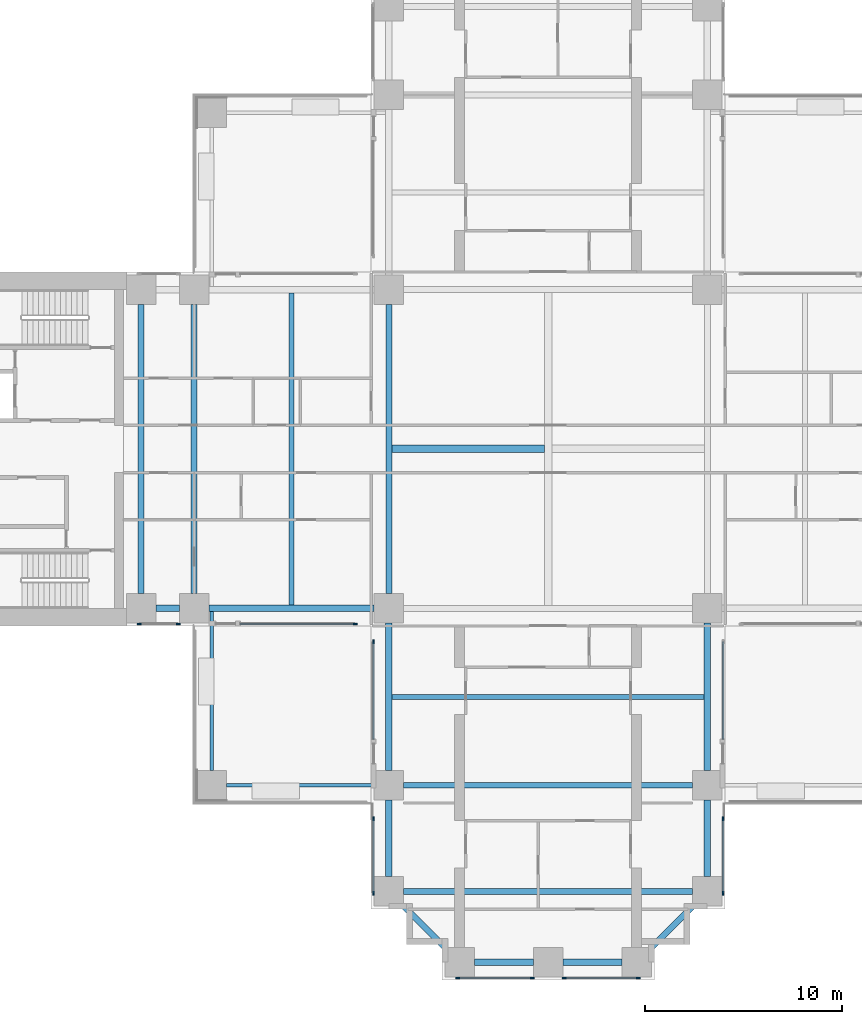
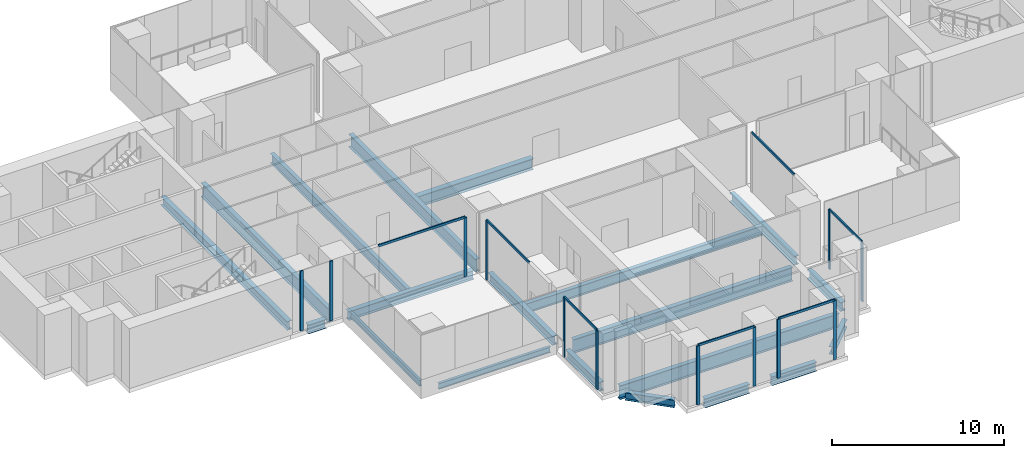
# One storey, part 2 of 15: 20 beams, 19 members, 8 elements without a shape of their own.
"""IFC4 building model written with IfcOpenShell, lengths in metres."""

import ifcopenshell
import ifcopenshell.guid

model = None  # the IFC model being written
_history = None  # IfcOwnerHistory: only IFC2X3 demands one
_inside = {}  # id of a spatial element -> (the spatial element, [elements in it])
_under = {}  # id of a project, library or spatial element -> (it, [spatial elements below it])
_declared = {}  # id of a project -> (the project, [libraries it declares])
_typed = {}  # id of a type object -> (the type object, [elements of that type])
_made_of = {}  # id of a material, layer set ... -> (it, [elements and type objects made of it])


def new_model(schema):
    """Start an empty IFC model of exactly this schema.

    Asked for "IFC4X3", IfcOpenShell would pick the latest addendum, in which some entities
    have other attributes; the version numbers below select the first issue.
    IFC2X3 requires an IfcOwnerHistory on every rooted entity: one is made here for all.
    """
    global model, _history
    if schema == "IFC4X3":
        model = ifcopenshell.file(schema_version=(4, 3, 0, 0))
    else:
        model = ifcopenshell.file(schema=schema)
    _inside.clear()
    _under.clear()
    _declared.clear()
    _typed.clear()
    _made_of.clear()
    _history = None
    if model.schema == "IFC2X3":
        org = make("IfcOrganization", Name="unknown")
        user = make(
            "IfcPersonAndOrganization",
            ThePerson=make("IfcPerson", FamilyName="unknown"),
            TheOrganization=org,
        )
        app = make(
            "IfcApplication",
            ApplicationDeveloper=org,
            Version="unknown",
            ApplicationFullName="unknown",
            ApplicationIdentifier="unknown",
        )
        _history = make(
            "IfcOwnerHistory",
            OwningUser=user,
            OwningApplication=app,
            ChangeAction="ADDED",
            CreationDate=0,
        )
    return model


def make(cls, **values):
    """One entity of the class cls with the attributes given. An attribute that is None is left unset."""
    return model.create_entity(
        cls, **{name: value for name, value in values.items() if value is not None}
    )


def rooted(cls, **values):
    """An entity with a GlobalId (a new one), such as an element, a storey or a relation."""
    return make(cls, GlobalId=ifcopenshell.guid.new(), OwnerHistory=_history, **values)


def si_unit(unit_type, name, prefix=None):
    """IfcSIUnit, for example si_unit("LENGTHUNIT", "METRE", prefix="MILLI")."""
    return make("IfcSIUnit", UnitType=unit_type, Prefix=prefix, Name=name)


def assignment(units):
    """IfcUnitAssignment: the units of a project."""
    return None if units is None else make("IfcUnitAssignment", Units=units)


def point(xyz):
    """IfcCartesianPoint."""
    return None if xyz is None else make("IfcCartesianPoint", Coordinates=xyz)


def direction(xyz):
    """IfcDirection."""
    return None if xyz is None else make("IfcDirection", DirectionRatios=xyz)


def frame(location, z_axis=None, x_axis=None):
    """IfcAxis2Placement3D, a coordinate frame: its origin and axes. An axis left out is left unset."""
    return make(
        "IfcAxis2Placement3D",
        Location=point(location),
        Axis=direction(z_axis),
        RefDirection=direction(x_axis),
    )


def frame_2d(location, x_axis=None):
    """IfcAxis2Placement2D, a coordinate frame in the plane: its origin and x axis."""
    return make(
        "IfcAxis2Placement2D", Location=point(location), RefDirection=direction(x_axis)
    )


def origin():
    """The frame at (0, 0, 0) with its axes left unset."""
    return frame((0.0, 0.0, 0.0))


def origin_2d():
    """The frame at (0, 0) in the plane with its x axis left unset."""
    return frame_2d((0.0, 0.0))


def place(relative_to, where):
    """IfcLocalPlacement: puts the frame where relative to a parent placement (None: the world)."""
    return make(
        "IfcLocalPlacement", PlacementRelTo=relative_to, RelativePlacement=where
    )


def context(
    kind, dimensions, precision=None, world=None, true_north=None, identifier=None
):
    """IfcGeometricRepresentationContext, for example the 3D "Model" context."""
    return make(
        "IfcGeometricRepresentationContext",
        ContextIdentifier=identifier,
        ContextType=kind,
        CoordinateSpaceDimension=dimensions,
        Precision=precision,
        WorldCoordinateSystem=world,
        TrueNorth=true_north,
    )


def subcontext(parent, identifier, kind, view, scale=None):
    """IfcGeometricRepresentationSubContext, for example "Body" below "Model"."""
    return make(
        "IfcGeometricRepresentationSubContext",
        ContextIdentifier=identifier,
        ContextType=kind,
        ParentContext=parent,
        TargetScale=scale,
        TargetView=view,
    )


def project(units=None, contexts=None):
    """IfcProject with its units and contexts."""
    return rooted(
        "IfcProject",
        Name="project",
        RepresentationContexts=contexts,
        UnitsInContext=assignment(units),
    )


def spatial(cls, under=None, at=None, **own):
    """A site, building, storey or space (cls), placed at a placement, below another one or the project."""
    s = rooted(cls, ObjectPlacement=at, **own)
    if under is not None:
        _under.setdefault(under.id(), (under, []))[1].append(s)
    return s


def profile(cls, at=None, kind="AREA", **sizes):
    """A parametric profile (cls). Its sizes go by their IFC names, for example OverallWidth=200.0."""
    return make(cls, ProfileType=kind, Position=at, **sizes)


def rectangle(**sizes):
    """IfcRectangleProfileDef."""
    return profile("IfcRectangleProfileDef", **sizes)


def i_section(**sizes):
    """IfcIShapeProfileDef."""
    return profile("IfcIShapeProfileDef", **sizes)


def extrude(swept, where, along, depth):
    """IfcExtrudedAreaSolid: the profile swept, set in the frame where, extruded along a direction by depth."""
    return make(
        "IfcExtrudedAreaSolid",
        SweptArea=swept,
        Position=where,
        ExtrudedDirection=direction(along),
        Depth=depth,
    )


def shape(context_of_items, identifier, shape_type, items):
    """IfcShapeRepresentation: the items that make up one representation, for example the "Body"."""
    return make(
        "IfcShapeRepresentation",
        ContextOfItems=context_of_items,
        RepresentationIdentifier=identifier,
        RepresentationType=shape_type,
        Items=items,
    )


def material(Name=None, Category=None):
    """IfcMaterial."""
    return make("IfcMaterial", Name=Name, Category=Category)


def material_profile(
    of_material, cross_section, Name=None, Category=None, Priority=None
):
    """IfcMaterialProfile: a cross section and its material."""
    return make(
        "IfcMaterialProfile",
        Name=Name,
        Material=of_material,
        Profile=cross_section,
        Priority=Priority,
        Category=Category,
    )


def profile_set(profiles, Name=None, composite=None):
    """IfcMaterialProfileSet."""
    return make(
        "IfcMaterialProfileSet",
        Name=Name,
        MaterialProfiles=profiles,
        CompositeProfile=composite,
    )


def made_of(thing, what):
    """Note that an element or type object is made of a material, layer set ...; save() writes the relation."""
    if what is not None:
        _made_of.setdefault(what.id(), (what, []))[1].append(thing)
    return thing


def type_object(cls, material=None, **own):
    """A type object (cls), such as IfcWallType, which elements share."""
    return made_of(rooted(cls, **own), material)


def element(
    cls,
    number,
    at=None,
    inside=None,
    cuts=None,
    type_object=None,
    material=None,
    context=None,
    identifier="Body",
    shape_type=None,
    held_by="IfcProductDefinitionShape",
    body=None,
    shapes=None,
    **own,
):
    """One element of the class cls, such as IfcWall. Its Tag is "e" and its number.

    at: its placement. inside: the storey or other place that contains it. cuts: it is an
    opening in that element (IfcRelVoidsElement). A single representation is given by context,
    identifier, shape_type and body (its items); several are given by shapes. held_by: the class
    of the entity that holds the representations. save() writes the other relations.
    """
    e = rooted(cls, Tag="e%d" % number, ObjectPlacement=at, **own)
    if body is not None:
        shapes = [shape(context, identifier, shape_type, body)]
    if shapes is not None:
        e.Representation = make(held_by, Representations=shapes)
    if inside is not None:
        _inside.setdefault(inside.id(), (inside, []))[1].append(e)
    if cuts is not None:
        rooted(
            "IfcRelVoidsElement", RelatingBuildingElement=cuts, RelatedOpeningElement=e
        )
    if type_object is not None:
        _typed.setdefault(type_object.id(), (type_object, []))[1].append(e)
    return made_of(e, material)


def aggregate(whole, parts):
    """IfcRelAggregates: a whole, such as a stair, and the parts it consists of."""
    return rooted("IfcRelAggregates", RelatingObject=whole, RelatedObjects=parts)


def save(model, path):
    """Write the relations noted so far, then the file.

    IfcRelAggregates (storeys below a building ...), IfcRelContainedInSpatialStructure (elements
    in a storey), IfcRelDefinesByType, IfcRelAssociatesMaterial and IfcRelDeclares: one each for
    every whole, place, type object, material and project.
    """
    for whole, parts in _under.values():
        aggregate(whole, parts)
    for where, things in _inside.values():
        rooted(
            "IfcRelContainedInSpatialStructure",
            RelatedElements=things,
            RelatingStructure=where,
        )
    for kind, things in _typed.values():
        rooted("IfcRelDefinesByType", RelatedObjects=things, RelatingType=kind)
    for what, things in _made_of.values():
        rooted("IfcRelAssociatesMaterial", RelatedObjects=things, RelatingMaterial=what)
    for by, libraries in _declared.values():
        rooted("IfcRelDeclares", RelatingContext=by, RelatedDefinitions=libraries)
    model.write(path)


model = new_model("IFC4")

# Units and contexts
model_context = context("Model", 3, precision=1e-05, world=origin(), true_north=direction((0.0, 1.0)))
body_context = subcontext(model_context, "Body", "Model", "MODEL_VIEW")
ifc_project = project(units=[si_unit("LENGTHUNIT", "METRE"), si_unit("AREAUNIT", "SQUARE_METRE"), si_unit("VOLUMEUNIT", "CUBIC_METRE"), si_unit("PLANEANGLEUNIT", "RADIAN"), si_unit("MASSUNIT", "GRAM", prefix="KILO")], contexts=[model_context])

# Site, building, storey
site_placement = place(None, origin())
site = spatial("IfcSite", under=ifc_project, at=site_placement, CompositionType="ELEMENT")
building_placement = place(site_placement, origin())
building = spatial("IfcBuilding", under=site, at=building_placement, Name="Perihelion Cross Residences", CompositionType="ELEMENT")
storey_placement = place(building_placement, frame((0.0, 0.0, 32.0)))
storey = spatial("IfcBuildingStorey", under=building, at=storey_placement, Name="L04", CompositionType="ELEMENT", Elevation=32.0)

# Curtain wall, members
ifc_material_1 = material(Name="Bronze anodised aluminium, tinted glazing", Category="aluminium")
curtain_wall_type = type_object("IfcCurtainWallType", Name="CW2", PredefinedType="NOTDEFINED", material=ifc_material_1)
curtain_wall_1_placement = place(storey_placement, origin())
curtain_wall_1 = element("IfcCurtainWall", 1, at=curtain_wall_1_placement, inside=storey, type_object=curtain_wall_type, Name="Curtain wall CW2 L04 west side south bay 1", PredefinedType="NOTDEFINED")
ifc_material_2 = material(Name="Bronze anodised aluminium", Category="aluminium")
ifc_material_profile_1 = material_profile(ifc_material_2, rectangle(XDim=0.080078125, YDim=0.199951171875, at=origin_2d()), Name="CW2 mullion")
ifc_profile_set_1 = profile_set([ifc_material_profile_1], Name="Bronze anodised aluminium")
member_type_1 = type_object("IfcMemberType", Name="CW2 mullion", PredefinedType="MULLION", material=ifc_profile_set_1)
member_1_placement = place(storey_placement, frame((-20.7900390625, -8.889892578125, 0.0), z_axis=(0.0, 0.0, 1.0), x_axis=(0.0, 1.0, 0.0)))
member_1 = element("IfcMember", 2, at=member_1_placement, type_object=member_type_1, Name="CW2 mullion 1", PredefinedType="MULLION", context=body_context, shape_type="SweptSolid", body=[
    extrude(rectangle(XDim=0.080078125, YDim=0.199951171875, at=origin_2d()), origin(), (0.0, 0.0, 1.0), 4.25),
])
member_2_placement = place(storey_placement, frame((-18.81005859375, -8.889892578125, 0.0), z_axis=(0.0, 0.0, 1.0), x_axis=(0.0, 1.0, 0.0)))
member_2 = element("IfcMember", 3, at=member_2_placement, type_object=member_type_1, Name="CW2 mullion 2", PredefinedType="MULLION", context=body_context, shape_type="SweptSolid", body=[
    extrude(rectangle(XDim=0.080078125, YDim=0.199951171875, at=origin_2d()), origin(), (0.0, 0.0, 1.0), 4.25),
])
aggregate(curtain_wall_1, [member_1, member_2])

# Curtain wall, member
curtain_wall_2_placement = place(storey_placement, origin())
curtain_wall_2 = element("IfcCurtainWall", 4, at=curtain_wall_2_placement, inside=storey, type_object=curtain_wall_type, Name="Curtain wall CW2 L04 west side south bay 2", PredefinedType="NOTDEFINED")
member_3_placement = place(storey_placement, frame((-9.81005859375, -8.889892578125, 0.0), z_axis=(0.0, 0.0, 1.0), x_axis=(0.0, 1.0, 0.0)))
member_3 = element("IfcMember", 5, at=member_3_placement, type_object=member_type_1, Name="CW2 mullion 2", PredefinedType="MULLION", context=body_context, shape_type="SweptSolid", body=[
    extrude(rectangle(XDim=0.080078125, YDim=0.199951171875, at=origin_2d()), origin(), (0.0, 0.0, 1.0), 4.169921875),
])

curtain_wall_3_placement = place(storey_placement, origin())
curtain_wall_3 = element("IfcCurtainWall", 6, at=curtain_wall_3_placement, inside=storey, type_object=curtain_wall_type, Name="Curtain wall CW2 L04 south side west bay 1", PredefinedType="NOTDEFINED")
member_4_placement = place(storey_placement, frame((-8.889892578125, -9.81005859375, 0.0), z_axis=(0.0, 0.0, 1.0), x_axis=(1.0, 0.0, 0.0)))
member_4 = element("IfcMember", 7, at=member_4_placement, type_object=member_type_1, Name="CW2 mullion 1", PredefinedType="MULLION", context=body_context, shape_type="SweptSolid", body=[
    extrude(rectangle(XDim=0.080078125, YDim=0.199951171875, at=origin_2d()), origin(), (0.0, 0.0, 1.0), 4.169921875),
])

# Curtain wall, members
curtain_wall_4_placement = place(storey_placement, origin())
curtain_wall_4 = element("IfcCurtainWall", 8, at=curtain_wall_4_placement, inside=storey, type_object=curtain_wall_type, Name="Curtain wall CW2 L04 south side west bay 2", PredefinedType="NOTDEFINED")
member_5_placement = place(storey_placement, frame((-8.889892578125, -18.81005859375, 0.0), z_axis=(0.0, 0.0, 1.0), x_axis=(1.0, 0.0, 0.0)))
member_5 = element("IfcMember", 9, at=member_5_placement, type_object=member_type_1, Name="CW2 mullion 1", PredefinedType="MULLION", context=body_context, shape_type="SweptSolid", body=[
    extrude(rectangle(XDim=0.080078125, YDim=0.199951171875, at=origin_2d()), origin(), (0.0, 0.0, 1.0), 4.169921875),
])
member_6_placement = place(storey_placement, frame((-8.889892578125, -22.590087890625, 0.0), z_axis=(0.0, 0.0, 1.0), x_axis=(1.0, 0.0, 0.0)))
member_6 = element("IfcMember", 10, at=member_6_placement, type_object=member_type_1, Name="CW2 mullion 2", PredefinedType="MULLION", context=body_context, shape_type="SweptSolid", body=[
    extrude(rectangle(XDim=0.080078125, YDim=0.199951171875, at=origin_2d()), origin(), (0.0, 0.0, 1.0), 4.169921875),
])

curtain_wall_5_placement = place(storey_placement, origin())
curtain_wall_5 = element("IfcCurtainWall", 11, at=curtain_wall_5_placement, inside=storey, type_object=curtain_wall_type, Name="Curtain wall CW2 L04 south tip south bay 1", PredefinedType="NOTDEFINED")
member_7_placement = place(storey_placement, frame((-4.590087890625, -26.889892578125, 0.0), z_axis=(0.0, 0.0, 1.0), x_axis=(0.0, 1.0, 0.0)))
member_7 = element("IfcMember", 12, at=member_7_placement, type_object=member_type_1, Name="CW2 mullion 1", PredefinedType="MULLION", context=body_context, shape_type="SweptSolid", body=[
    extrude(rectangle(XDim=0.080078125, YDim=0.199951171875, at=origin_2d()), origin(), (0.0, 0.0, 1.0), 4.169921875),
])
member_8_placement = place(storey_placement, frame((-0.81005859375, -26.889892578125, 0.0), z_axis=(0.0, 0.0, 1.0), x_axis=(0.0, 1.0, 0.0)))
member_8 = element("IfcMember", 13, at=member_8_placement, type_object=member_type_1, Name="CW2 mullion 2", PredefinedType="MULLION", context=body_context, shape_type="SweptSolid", body=[
    extrude(rectangle(XDim=0.080078125, YDim=0.199951171875, at=origin_2d()), origin(), (0.0, 0.0, 1.0), 4.169921875),
])

curtain_wall_6_placement = place(storey_placement, origin())
curtain_wall_6 = element("IfcCurtainWall", 14, at=curtain_wall_6_placement, inside=storey, type_object=curtain_wall_type, Name="Curtain wall CW2 L04 south tip south bay 2", PredefinedType="NOTDEFINED")
member_9_placement = place(storey_placement, frame((0.81005859375, -26.889892578125, 0.0), z_axis=(0.0, 0.0, 1.0), x_axis=(0.0, 1.0, 0.0)))
member_9 = element("IfcMember", 15, at=member_9_placement, type_object=member_type_1, Name="CW2 mullion 1", PredefinedType="MULLION", context=body_context, shape_type="SweptSolid", body=[
    extrude(rectangle(XDim=0.080078125, YDim=0.199951171875, at=origin_2d()), origin(), (0.0, 0.0, 1.0), 4.169921875),
])
member_10_placement = place(storey_placement, frame((4.590087890625, -26.889892578125, 0.0), z_axis=(0.0, 0.0, 1.0), x_axis=(0.0, 1.0, 0.0)))
member_10 = element("IfcMember", 16, at=member_10_placement, type_object=member_type_1, Name="CW2 mullion 2", PredefinedType="MULLION", context=body_context, shape_type="SweptSolid", body=[
    extrude(rectangle(XDim=0.080078125, YDim=0.199951171875, at=origin_2d()), origin(), (0.0, 0.0, 1.0), 4.169921875),
])

curtain_wall_7_placement = place(storey_placement, origin())
curtain_wall_7 = element("IfcCurtainWall", 17, at=curtain_wall_7_placement, inside=storey, type_object=curtain_wall_type, Name="Curtain wall CW2 L04 south side east bay 1", PredefinedType="NOTDEFINED")
member_11_placement = place(storey_placement, frame((8.889892578125, -22.590087890625, 0.0), z_axis=(0.0, 0.0, 1.0), x_axis=(-1.0, 0.0, 0.0)))
member_11 = element("IfcMember", 18, at=member_11_placement, type_object=member_type_1, Name="CW2 mullion 1", PredefinedType="MULLION", context=body_context, shape_type="SweptSolid", body=[
    extrude(rectangle(XDim=0.080078125, YDim=0.199951171875, at=origin_2d()), origin(), (0.0, 0.0, 1.0), 4.169921875),
])
member_12_placement = place(storey_placement, frame((8.889892578125, -18.81005859375, 0.0), z_axis=(0.0, 0.0, 1.0), x_axis=(-1.0, 0.0, 0.0)))
member_12 = element("IfcMember", 19, at=member_12_placement, type_object=member_type_1, Name="CW2 mullion 2", PredefinedType="MULLION", context=body_context, shape_type="SweptSolid", body=[
    extrude(rectangle(XDim=0.080078125, YDim=0.199951171875, at=origin_2d()), origin(), (0.0, 0.0, 1.0), 4.169921875),
])

# Member
ifc_material_3 = material(Name="Bronze anodised aluminium", Category="aluminium")
ifc_material_profile_2 = material_profile(ifc_material_3, rectangle(XDim=0.080078125, YDim=0.159912109375, at=origin_2d()), Name="CW2 transom")
ifc_profile_set_2 = profile_set([ifc_material_profile_2], Name="Bronze anodised aluminium")
member_type_2 = type_object("IfcMemberType", Name="CW2 transom", PredefinedType="USERDEFINED", material=ifc_profile_set_2)
member_13_placement = place(storey_placement, frame((-15.64990234375, -8.889892578125, 4.2099609375), z_axis=(1.0, 0.0, 0.0), x_axis=(0.0, 1.0, 0.0)))
member_13 = element("IfcMember", 20, at=member_13_placement, type_object=member_type_2, Name="CW2 head transom", ObjectType="TRANSOM", PredefinedType="USERDEFINED", context=body_context, shape_type="SweptSolid", body=[
    extrude(rectangle(XDim=0.080078125, YDim=0.159912109375, at=origin_2d()), origin(), (0.0, 0.0, 1.0), 5.83984375),
])

aggregate(curtain_wall_2, [member_3, member_13])

member_14_placement = place(storey_placement, frame((-8.889892578125, -9.81005859375, 4.2099609375), z_axis=(0.0, -1.0, 0.0), x_axis=(1.0, 0.0, 0.0)))
member_14 = element("IfcMember", 21, at=member_14_placement, type_object=member_type_2, Name="CW2 head transom", ObjectType="TRANSOM", PredefinedType="USERDEFINED", context=body_context, shape_type="SweptSolid", body=[
    extrude(rectangle(XDim=0.080078125, YDim=0.159912109375, at=origin_2d()), origin(), (0.0, 0.0, 1.0), 4.93994140625),
])

aggregate(curtain_wall_3, [member_4, member_14])

member_15_placement = place(storey_placement, frame((-8.889892578125, -18.81005859375, 4.2099609375), z_axis=(0.0, -1.0, 0.0), x_axis=(1.0, 0.0, 0.0)))
member_15 = element("IfcMember", 22, at=member_15_placement, type_object=member_type_2, Name="CW2 head transom", ObjectType="TRANSOM", PredefinedType="USERDEFINED", context=body_context, shape_type="SweptSolid", body=[
    extrude(rectangle(XDim=0.080078125, YDim=0.159912109375, at=origin_2d()), origin(), (0.0, 0.0, 1.0), 3.780029296875),
])

aggregate(curtain_wall_4, [member_5, member_6, member_15])

member_16_placement = place(storey_placement, frame((-4.590087890625, -26.889892578125, 4.2099609375), z_axis=(1.0, 0.0, 0.0), x_axis=(0.0, 1.0, 0.0)))
member_16 = element("IfcMember", 23, at=member_16_placement, type_object=member_type_2, Name="CW2 head transom", ObjectType="TRANSOM", PredefinedType="USERDEFINED", context=body_context, shape_type="SweptSolid", body=[
    extrude(rectangle(XDim=0.080078125, YDim=0.159912109375, at=origin_2d()), origin(), (0.0, 0.0, 1.0), 3.780029296875),
])

aggregate(curtain_wall_5, [member_7, member_8, member_16])

member_17_placement = place(storey_placement, frame((0.81005859375, -26.889892578125, 4.2099609375), z_axis=(1.0, 0.0, 0.0), x_axis=(0.0, 1.0, 0.0)))
member_17 = element("IfcMember", 24, at=member_17_placement, type_object=member_type_2, Name="CW2 head transom", ObjectType="TRANSOM", PredefinedType="USERDEFINED", context=body_context, shape_type="SweptSolid", body=[
    extrude(rectangle(XDim=0.080078125, YDim=0.159912109375, at=origin_2d()), origin(), (0.0, 0.0, 1.0), 3.780029296875),
])

aggregate(curtain_wall_6, [member_9, member_10, member_17])

member_18_placement = place(storey_placement, frame((8.889892578125, -22.590087890625, 4.2099609375), z_axis=(0.0, 1.0, 0.0), x_axis=(-1.0, 0.0, 0.0)))
member_18 = element("IfcMember", 25, at=member_18_placement, type_object=member_type_2, Name="CW2 head transom", ObjectType="TRANSOM", PredefinedType="USERDEFINED", context=body_context, shape_type="SweptSolid", body=[
    extrude(rectangle(XDim=0.080078125, YDim=0.159912109375, at=origin_2d()), origin(), (0.0, 0.0, 1.0), 3.780029296875),
])

aggregate(curtain_wall_7, [member_11, member_12, member_18])

# Curtain wall, member
curtain_wall_8_placement = place(storey_placement, origin())
curtain_wall_8 = element("IfcCurtainWall", 26, at=curtain_wall_8_placement, inside=storey, type_object=curtain_wall_type, Name="Curtain wall CW2 L04 south side east bay 2", PredefinedType="NOTDEFINED")
member_19_placement = place(storey_placement, frame((8.889892578125, -14.75, 4.2099609375), z_axis=(0.0, 1.0, 0.0), x_axis=(-1.0, 0.0, 0.0)))
member_19 = element("IfcMember", 27, at=member_19_placement, type_object=member_type_2, Name="CW2 head transom", ObjectType="TRANSOM", PredefinedType="USERDEFINED", context=body_context, shape_type="SweptSolid", body=[
    extrude(rectangle(XDim=0.080078125, YDim=0.159912109375, at=origin_2d()), origin(), (0.0, 0.0, 1.0), 4.93994140625),
])
aggregate(curtain_wall_8, [member_19])

# Beams
ifc_material_4 = material(Name="Steel S355", Category="steel")
ifc_material_profile_3 = material_profile(ifc_material_4, i_section(OverallWidth=0.177978515625, OverallDepth=0.406005859375, WebThickness=0.0078125, FlangeThickness=0.0126953125, at=origin_2d()), Name="W410x60")
ifc_profile_set_3 = profile_set([ifc_material_profile_3], Name="Steel S355")
beam_type_1 = type_object("IfcBeamType", Name="Core edge beam W410x60", PredefinedType="BEAM", material=ifc_profile_set_3)
beam_1_placement = place(storey_placement, frame((-17.10009765625, -8.264892578125, -0.5029296875), z_axis=(0.0, -1.0, 0.0), x_axis=(1.0, 0.0, 0.0)))
element("IfcBeam", 28, at=beam_1_placement, inside=storey, type_object=beam_type_1, Name="Core edge beam TB2 L04 corner no. 1", PredefinedType="BEAM", context=body_context, shape_type="SweptSolid", body=[
    extrude(i_section(OverallWidth=0.177978515625, OverallDepth=0.406005859375, WebThickness=0.0078125, FlangeThickness=0.0126953125, at=origin_2d()), origin(), (0.0, 0.0, 1.0), 8.085205078125),
])
beam_2_placement = place(storey_placement, frame((-8.85009765625, -17.10009765625, -0.5029296875), z_axis=(-1.0, 0.0, 0.0), x_axis=(0.0, -1.0, 0.0)))
element("IfcBeam", 29, at=beam_2_placement, inside=storey, type_object=beam_type_1, Name="Core edge beam TB2 L04 corner no. 2", PredefinedType="BEAM", context=body_context, shape_type="SweptSolid", body=[
    extrude(i_section(OverallWidth=0.177978515625, OverallDepth=0.406005859375, WebThickness=0.0078125, FlangeThickness=0.0126953125, at=origin_2d()), origin(), (0.0, 0.0, 1.0), 7.5),
])
ifc_material_5 = material(Name="Steel S355", Category="steel")
ifc_material_profile_4 = material_profile(ifc_material_5, i_section(OverallWidth=0.324951171875, OverallDepth=0.616943359375, WebThickness=0.013916015625, FlangeThickness=0.021484375, at=origin_2d()), Name="W610x174")
ifc_profile_set_4 = profile_set([ifc_material_profile_4], Name="Steel S355")
beam_type_2 = type_object("IfcBeamType", Name="Core edge beam W610x174", PredefinedType="BEAM", material=ifc_profile_set_4)
beam_3_placement = place(storey_placement, frame((-20.699951171875, -7.35009765625, -0.6083984375), z_axis=(0.0, 1.0, 0.0), x_axis=(-1.0, 0.0, 0.0)))
element("IfcBeam", 30, at=beam_3_placement, inside=storey, type_object=beam_type_2, Name="Core edge beam TB1 L04 no. 1", PredefinedType="BEAM", context=body_context, shape_type="SweptSolid", body=[
    extrude(i_section(OverallWidth=0.324951171875, OverallDepth=0.616943359375, WebThickness=0.013916015625, FlangeThickness=0.021484375, at=origin_2d()), origin(), (0.0, 0.0, 1.0), 14.7001953125),
])
ifc_material_6 = material(Name="Steel S355", Category="steel")
ifc_material_profile_5 = material_profile(ifc_material_6, i_section(OverallWidth=0.330078125, OverallDepth=0.635009765625, WebThickness=0.017822265625, FlangeThickness=0.031005859375, at=origin_2d()), Name="W610x241")
ifc_profile_set_5 = profile_set([ifc_material_profile_5], Name="Steel S355")
beam_type_3 = type_object("IfcBeamType", Name="Edge beam W610x241", PredefinedType="SPANDREL", material=ifc_profile_set_5)
beam_4_placement = place(storey_placement, frame((-19.949951171875, -8.10009765625, -0.617431640625), z_axis=(1.0, 0.0, 0.0), x_axis=(0.0, 1.0, 0.0)))
element("IfcBeam", 31, at=beam_4_placement, inside=storey, type_object=beam_type_3, Name="Edge beam SB1 L04 no. 3", PredefinedType="SPANDREL", context=body_context, shape_type="SweptSolid", body=[
    extrude(i_section(OverallWidth=0.330078125, OverallDepth=0.635009765625, WebThickness=0.017822265625, FlangeThickness=0.031005859375, at=origin_2d()), origin(), (0.0, 0.0, 1.0), 1.199951171875),
])
beam_5_placement = place(storey_placement, frame((-17.25, -8.10009765625, -0.617431640625), z_axis=(1.0, 0.0, 0.0), x_axis=(0.0, 1.0, 0.0)))
element("IfcBeam", 32, at=beam_5_placement, inside=storey, type_object=beam_type_3, Name="Edge beam SB1 L04 no. 1", PredefinedType="SPANDREL", context=body_context, shape_type="SweptSolid", body=[
    extrude(i_section(OverallWidth=0.330078125, OverallDepth=0.635009765625, WebThickness=0.017822265625, FlangeThickness=0.031005859375, at=origin_2d()), origin(), (0.0, 0.0, 1.0), 8.39990234375),
])
beam_6_placement = place(storey_placement, frame((-8.10009765625, -8.85009765625, -0.617431640625), z_axis=(0.0, -1.0, 0.0), x_axis=(1.0, 0.0, 0.0)))
element("IfcBeam", 33, at=beam_6_placement, inside=storey, type_object=beam_type_3, Name="Edge beam SB1 L04 no. 6", PredefinedType="SPANDREL", context=body_context, shape_type="SweptSolid", body=[
    extrude(i_section(OverallWidth=0.330078125, OverallDepth=0.635009765625, WebThickness=0.017822265625, FlangeThickness=0.031005859375, at=origin_2d()), origin(), (0.0, 0.0, 1.0), 7.5),
])
beam_7_placement = place(storey_placement, frame((-8.10009765625, -17.85009765625, -0.617431640625), z_axis=(0.0, -1.0, 0.0), x_axis=(1.0, 0.0, 0.0)))
element("IfcBeam", 34, at=beam_7_placement, inside=storey, type_object=beam_type_3, Name="Edge beam SB1 L04 no. 5", PredefinedType="SPANDREL", context=body_context, shape_type="SweptSolid", body=[
    extrude(i_section(OverallWidth=0.330078125, OverallDepth=0.635009765625, WebThickness=0.017822265625, FlangeThickness=0.031005859375, at=origin_2d()), origin(), (0.0, 0.0, 1.0), 3.89990234375),
])
for number, where, z_axis, x_axis, name in (
    (35, (-3.75, -26.10009765625, -0.617431640625), (1.0, 0.0, 0.0), (0.0, 1.0, 0.0), "Edge beam SB1 L04 no. 4"),
    (36, (0.75, -26.10009765625, -0.617431640625), (1.0, 0.0, 0.0), (0.0, 1.0, 0.0), "Edge beam SB1 L04 no. 10"),
):
    element("IfcBeam", number, at=place(storey_placement, frame(where, z_axis=z_axis, x_axis=x_axis)), inside=storey, type_object=beam_type_3, Name=name, PredefinedType="SPANDREL", context=body_context, shape_type="SweptSolid", body=[
        extrude(i_section(OverallWidth=0.330078125, OverallDepth=0.635009765625, WebThickness=0.017822265625, FlangeThickness=0.031005859375, at=origin_2d()), origin(), (0.0, 0.0, 1.0), 3.0),
    ])
beam_8_placement = place(storey_placement, frame((8.10009765625, -21.75, -0.617431640625), z_axis=(0.0, 1.0, 0.0), x_axis=(-1.0, 0.0, 0.0)))
element("IfcBeam", 37, at=beam_8_placement, inside=storey, type_object=beam_type_3, Name="Edge beam SB1 L04 no. 17", PredefinedType="SPANDREL", context=body_context, shape_type="SweptSolid", body=[
    extrude(i_section(OverallWidth=0.330078125, OverallDepth=0.635009765625, WebThickness=0.017822265625, FlangeThickness=0.031005859375, at=origin_2d()), origin(), (0.0, 0.0, 1.0), 3.89990234375),
])
beam_9_placement = place(storey_placement, frame((8.10009765625, -16.35009765625, -0.617431640625), z_axis=(0.0, 1.0, 0.0), x_axis=(-1.0, 0.0, 0.0)))
element("IfcBeam", 38, at=beam_9_placement, inside=storey, type_object=beam_type_3, Name="Edge beam SB1 L04 no. 16", PredefinedType="SPANDREL", context=body_context, shape_type="SweptSolid", body=[
    extrude(i_section(OverallWidth=0.330078125, OverallDepth=0.635009765625, WebThickness=0.017822265625, FlangeThickness=0.031005859375, at=origin_2d()), origin(), (0.0, 0.0, 1.0), 7.5),
])
ifc_material_7 = material(Name="Steel S355", Category="steel")
ifc_material_profile_6 = material_profile(ifc_material_7, i_section(OverallWidth=0.300048828125, OverallDepth=0.97998046875, WebThickness=0.0166015625, FlangeThickness=0.026123046875, at=origin_2d()), Name="W1000x249")
ifc_profile_set_6 = profile_set([ifc_material_profile_6], Name="Steel S355")
beam_type_4 = type_object("IfcBeamType", Name="Floor girder W1000x249", PredefinedType="BEAM", material=ifc_profile_set_6)
for number, where, z_axis, x_axis, name in (
    (39, (-7.35009765625, -17.10009765625, -0.7900390625), (1.0, 0.0, 0.0), (0.0, 1.0, 0.0), "Girder G1 L04 no. 3"),
    (40, (-7.35009765625, -22.5, -0.7900390625), (1.0, 0.0, 0.0), (0.0, 1.0, 0.0), "Girder G1 L04 no. 4"),
    (41, (-18.0, -7.35009765625, -0.7900390625), (0.0, 1.0, 0.0), (-1.0, 0.0, 0.0), "Girder G1 L04 no. 1"),
):
    element("IfcBeam", number, at=place(storey_placement, frame(where, z_axis=z_axis, x_axis=x_axis)), inside=storey, type_object=beam_type_4, Name=name, PredefinedType="BEAM", context=body_context, shape_type="SweptSolid", body=[
        extrude(i_section(OverallWidth=0.300048828125, OverallDepth=0.97998046875, WebThickness=0.0166015625, FlangeThickness=0.026123046875, at=origin_2d()), origin(), (0.0, 0.0, 1.0), 14.7001953125),
    ])
ifc_material_8 = material(Name="Steel S355", Category="steel")
ifc_material_profile_7 = material_profile(ifc_material_8, i_section(OverallWidth=0.257080078125, OverallDepth=0.693115234375, WebThickness=0.014404296875, FlangeThickness=0.023681640625, at=origin_2d()), Name="W690x170")
ifc_profile_set_7 = profile_set([ifc_material_profile_7], Name="Steel S355")
beam_type_5 = type_object("IfcBeamType", Name="Floor joist W690x170", PredefinedType="JOIST", material=ifc_profile_set_7)
for number, where, z_axis, x_axis, name in (
    (42, (-7.93505859375, -12.60009765625, -0.646484375), (1.0, 0.0, 0.0), (0.0, 1.0, 0.0), "Joist J1 L04 no. 3"),
    (43, (-13.050048828125, -7.93505859375, -0.646484375), (0.0, 1.0, 0.0), (-1.0, 0.0, 0.0), "Joist J1 L04 no. 1"),
):
    element("IfcBeam", number, at=place(storey_placement, frame(where, z_axis=z_axis, x_axis=x_axis)), inside=storey, type_object=beam_type_5, Name=name, PredefinedType="JOIST", context=body_context, shape_type="SweptSolid", body=[
        extrude(i_section(OverallWidth=0.257080078125, OverallDepth=0.693115234375, WebThickness=0.014404296875, FlangeThickness=0.023681640625, at=origin_2d()), origin(), (0.0, 0.0, 1.0), 15.8701171875),
    ])
ifc_material_9 = material(Name="Steel S355", Category="steel")
ifc_material_profile_8 = material_profile(ifc_material_9, i_section(OverallWidth=0.381103515625, OverallDepth=0.77197265625, WebThickness=0.0166015625, FlangeThickness=0.027099609375, at=origin_2d()), Name="W760x257")
ifc_profile_set_8 = profile_set([ifc_material_profile_8], Name="Steel S355")
beam_type_6 = type_object("IfcBeamType", Name="Hub cross beam W760x257", PredefinedType="BEAM", material=ifc_profile_set_8)
beam_10_placement = place(storey_placement, frame((-7.947509765625, 0.0, -0.68603515625), z_axis=(1.0, 0.0, 0.0), x_axis=(0.0, 1.0, 0.0)))
element("IfcBeam", 44, at=beam_10_placement, inside=storey, type_object=beam_type_6, Name="Hub cross beam XB1 L04 1 no. 1", PredefinedType="BEAM", context=body_context, shape_type="SweptSolid", body=[
    extrude(i_section(OverallWidth=0.381103515625, OverallDepth=0.77197265625, WebThickness=0.0166015625, FlangeThickness=0.027099609375, at=origin_2d()), origin(), (0.0, 0.0, 1.0), 7.757080078125),
])
ifc_material_10 = material(Name="Steel S355", Category="steel")
ifc_material_profile_9 = material_profile(ifc_material_10, i_section(OverallWidth=0.304931640625, OverallDepth=0.904052734375, WebThickness=0.01513671875, FlangeThickness=0.02001953125, at=origin_2d()), Name="W920x201")
ifc_profile_set_9 = profile_set([ifc_material_profile_9], Name="Steel S355")
beam_type_7 = type_object("IfcBeamType", Name="Hub ring girder W920x201", PredefinedType="BEAM", material=ifc_profile_set_9)
beam_11_placement = place(storey_placement, frame((-8.10009765625, 7.35009765625, -0.751953125), z_axis=(0.0, -1.0, 0.0), x_axis=(1.0, 0.0, 0.0)))
element("IfcBeam", 45, at=beam_11_placement, inside=storey, type_object=beam_type_7, Name="Hub ring girder RG1 L04 no. 2", PredefinedType="BEAM", context=body_context, shape_type="SweptSolid", body=[
    extrude(i_section(OverallWidth=0.304931640625, OverallDepth=0.904052734375, WebThickness=0.01513671875, FlangeThickness=0.02001953125, at=origin_2d()), origin(), (0.0, 0.0, 1.0), 14.7001953125),
])
ifc_material_11 = material(Name="Steel S355", Category="steel")
ifc_material_profile_10 = material_profile(ifc_material_11, i_section(OverallWidth=0.31201171875, OverallDepth=0.5439453125, WebThickness=0.0126953125, FlangeThickness=0.020263671875, at=origin_2d()), Name="W530x150")
ifc_profile_set_10 = profile_set([ifc_material_profile_10], Name="Steel S355")
beam_type_8 = type_object("IfcBeamType", Name="Serration edge beam W530x150", PredefinedType="BEAM", material=ifc_profile_set_10)
for number, where, z_axis, x_axis, name in (
    (46, (5.25, -25.35009765625, -0.572021484375), (0.707106781187, 0.707106781187, 0.0), (-0.707106781187, 0.707106781187, 0.0), "Serration edge beam EB1 L04 no. 3"),
    (47, (-7.35009765625, -23.25, -0.572021484375), (0.707106781187, -0.707106781187, 0.0), (0.707106781187, 0.707106781187, 0.0), "Serration edge beam EB1 L04 no. 2"),
):
    element("IfcBeam", number, at=place(storey_placement, frame(where, z_axis=z_axis, x_axis=x_axis)), inside=storey, type_object=beam_type_8, Name=name, PredefinedType="BEAM", context=body_context, shape_type="SweptSolid", body=[
        extrude(i_section(OverallWidth=0.31201171875, OverallDepth=0.5439453125, WebThickness=0.0126953125, FlangeThickness=0.020263671875, at=origin_2d()), origin(), (0.0, 0.0, 1.0), 2.969970703125),
    ])

save(model, "model.ifc")
